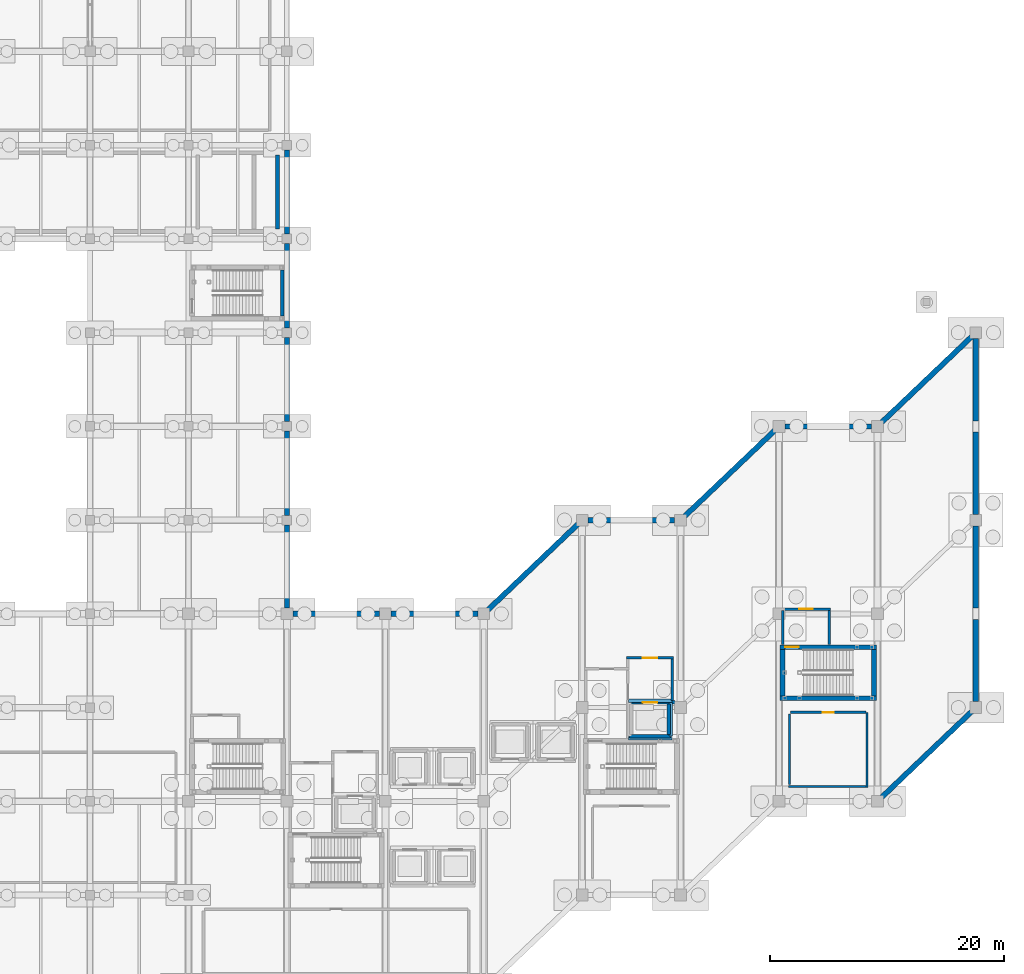
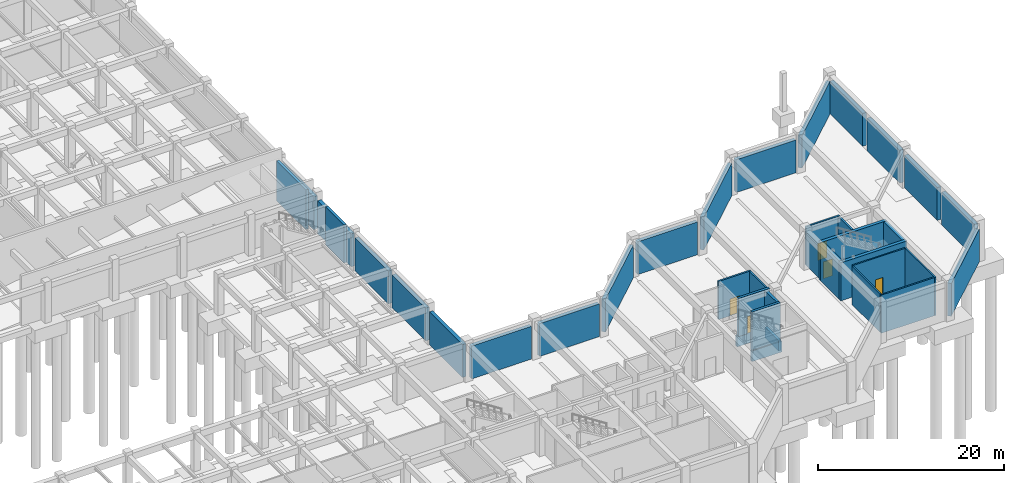
# One storey, part 43 of 56: 38 walls, 5 doors, 5 openings.
"""IFC4 building model written with IfcOpenShell, lengths in metres."""

from ifc_helpers import new_model, si_unit, direction, frame, frame_2d, origin, place, context, subcontext, project, spatial, rectangle, extrude, material, layer, layer_set, type_object, element, fill, save


model = new_model("IFC4")

# Units and contexts
model_context = context("Model", 3, precision=1e-05, world=origin(), true_north=direction((0.0, 1.0)))
body_context = subcontext(model_context, "Body", "Model", "MODEL_VIEW")
ifc_project = project(units=[si_unit("LENGTHUNIT", "METRE"), si_unit("AREAUNIT", "SQUARE_METRE"), si_unit("VOLUMEUNIT", "CUBIC_METRE"), si_unit("PLANEANGLEUNIT", "RADIAN"), si_unit("MASSUNIT", "GRAM", prefix="KILO")], contexts=[model_context])

# Site, building, storey
site_placement = place(None, origin())
site = spatial("IfcSite", under=ifc_project, at=site_placement, CompositionType="ELEMENT")
building_placement = place(site_placement, origin())
building = spatial("IfcBuilding", under=site, at=building_placement, Name="Naruveol Harbour Congress Hotel", CompositionType="ELEMENT")
storey_placement = place(building_placement, frame((0.0, 0.0, -5.39990234375)))
storey = spatial("IfcBuildingStorey", under=building, at=storey_placement, Name="B01", CompositionType="ELEMENT", Elevation=-5.39990234375)

# Wall, opening, door
ifc_material_1 = material(Name="Autoclaved Aerated Concrete Block", Category="concrete")
ifc_layer_1 = layer(ifc_material_1, 0.179931640625)
ifc_layer_set_1 = layer_set([ifc_layer_1], Name="Autoclaved Aerated Concrete Block")
wall_type_1 = type_object("IfcWallType", Name="ACOUSTIC HALL PARTITION WALL 180 EI60", PredefinedType="PARTITIONING", material=ifc_layer_set_1)
wall_1_placement = place(storey_placement, frame((168.9599609375, 23.60009765625, 0.0), z_axis=(0.0, 0.0, 1.0), x_axis=(1.0, 0.0, 0.0)))
wall_1 = element("IfcWall", 1, at=wall_1_placement, inside=storey, type_object=wall_type_1, Name="Hotel Engineering Workshop north entry wall PW-180", PredefinedType="PARTITIONING", context=body_context, shape_type="SweptSolid", body=[
    extrude(rectangle(XDim=6.47998046875, YDim=0.179931640625, at=frame_2d((3.239990234375, 0.0))), origin(), (0.0, 0.0, 1.0), 4.994873046875),
])
opening_1_placement = place(wall_1_placement, frame((2.77001953125, 0.0, 0.0)))
opening_1 = element("IfcOpeningElement", 2, at=opening_1_placement, cuts=wall_1, Name="Opening FD-ST-13", PredefinedType="OPENING", context=body_context, shape_type="SweptSolid", body=[
    extrude(rectangle(XDim=0.93994140625, YDim=2.14990234375, at=frame_2d((0.469970703125, 1.074951171875))), frame((0.0, 0.099853515625, 0.0), z_axis=(0.0, -1.0, 0.0), x_axis=(1.0, 0.0, 0.0)), (0.0, 0.0, 1.0), 0.199951171875),
])
ifc_material_2 = material(Name="Timber & Steel Acoustic Leaf", Category="steel")
door_type_1 = type_object("IfcDoorType", Name="HOUSEKEEPING AND STORE FIRE DOOR 940X2150", OperationType="NOTDEFINED", PredefinedType="DOOR", material=ifc_material_2)
door_1_placement = place(opening_1_placement, origin())
door_1 = element("IfcDoor", 3, at=door_1_placement, inside=storey, type_object=door_type_1, Name="Hotel Engineering Workshop Fire Door", OperationType="SINGLE_SWING_LEFT", OverallHeight=2.14990234375, OverallWidth=0.93994140625, PredefinedType="DOOR", context=body_context, shape_type="SweptSolid", body=[
    extrude(rectangle(XDim=0.93994140625, YDim=2.14990234375, at=frame_2d((0.469970703125, 1.074951171875))), frame((0.0, 0.02490234375, 0.0), z_axis=(0.0, -1.0, 0.0), x_axis=(1.0, 0.0, 0.0)), (0.0, 0.0, 1.0), 0.050048828125),
])
fill(opening_1, door_1)

# Walls
wall_2_placement = place(storey_placement, frame((168.8798828125, 17.449951171875, 0.0), z_axis=(0.0, 0.0, 1.0), x_axis=(0.0, 1.0, 0.0)))
element("IfcWall", 4, at=wall_2_placement, inside=storey, type_object=wall_type_1, Name="Hotel Engineering Workshop west partition PW-180", PredefinedType="PARTITIONING", context=body_context, shape_type="SweptSolid", body=[
    extrude(rectangle(XDim=6.010009765625, YDim=0.179931640625, at=frame_2d((3.0048828125, 0.0))), origin(), (0.0, 0.0, 1.0), 4.994873046875),
])
wall_3_placement = place(storey_placement, frame((175.52001953125, 17.199951171875, 0.0), z_axis=(0.0, 0.0, 1.0), x_axis=(0.0, 1.0, 0.0)))
element("IfcWall", 5, at=wall_3_placement, inside=storey, type_object=wall_type_1, Name="Hotel Engineering Workshop east enclosure partition PW-180", PredefinedType="PARTITIONING", context=body_context, shape_type="SweptSolid", body=[
    extrude(rectangle(XDim=6.3681640625, YDim=0.179931640625, at=frame_2d((3.18408203125, 0.0))), origin(), (0.0, 0.0, 1.0), 4.994873046875),
])
wall_4_placement = place(storey_placement, frame((168.800048828125, 17.280029296875, 0.0), z_axis=(0.0, 0.0, 1.0), x_axis=(1.0, 0.0, 0.0)))
element("IfcWall", 6, at=wall_4_placement, inside=storey, type_object=wall_type_1, Name="Hotel Engineering Workshop south enclosure partition PW-180", PredefinedType="PARTITIONING", context=body_context, shape_type="SweptSolid", body=[
    extrude(rectangle(XDim=6.6298828125, YDim=0.179931640625, at=frame_2d((3.31494140625, 0.0))), origin(), (0.0, 0.0, 1.0), 4.994873046875),
])
ifc_material_3 = material(Name="Concrete C40/50", Category="concrete")
ifc_layer_2 = layer(ifc_material_3, 0.219970703125)
ifc_layer_set_2 = layer_set([ifc_layer_2], Name="Concrete C40/50")
wall_type_2 = type_object("IfcWallType", Name="FIRE COMPARTMENT AND LOBBY WALL 220 EI120", PredefinedType="PARTITIONING", material=ifc_layer_set_2)
wall_5_placement = place(storey_placement, frame((158.89990234375, 24.60498046875, 0.0), z_axis=(0.0, 0.0, 1.0), x_axis=(0.0, 1.0, 0.0)))
element("IfcWall", 7, at=wall_5_placement, inside=storey, type_object=wall_type_2, Name="Firefighting lift lobby ST2 east wall FW-220", PredefinedType="PARTITIONING", context=body_context, shape_type="SweptSolid", body=[
    extrude(rectangle(XDim=3.530029296875, YDim=0.219970703125, at=frame_2d((1.76513671875, 0.0))), origin(), (0.0, 0.0, 1.0), 4.994873046875),
])

# Wall, opening, door
wall_6_placement = place(storey_placement, frame((154.989990234375, 28.25, 0.0), z_axis=(0.0, 0.0, 1.0), x_axis=(1.0, 0.0, 0.0)))
wall_6 = element("IfcWall", 8, at=wall_6_placement, inside=storey, type_object=wall_type_2, Name="Firefighting lift lobby ST2 north wall FW-220", PredefinedType="PARTITIONING", context=body_context, shape_type="SweptSolid", body=[
    extrude(rectangle(XDim=4.02001953125, YDim=0.219970703125, at=frame_2d((2.010009765625, 0.0))), origin(), (0.0, 0.0, 1.0), 4.994873046875),
])
opening_2_placement = place(wall_6_placement, frame((1.389892578125, 0.0, 0.0)))
opening_2 = element("IfcOpeningElement", 9, at=opening_2_placement, cuts=wall_6, Name="Opening FD-FFC-ST2-B01", PredefinedType="OPENING", context=body_context, shape_type="SweptSolid", body=[
    extrude(rectangle(XDim=1.239990234375, YDim=2.199951171875, at=frame_2d((0.6201171875, 1.10009765625))), frame((0.0, 0.119873046875, 0.0), z_axis=(0.0, -1.0, 0.0), x_axis=(1.0, 0.0, 0.0)), (0.0, 0.0, 1.0), 0.239990234375),
])
ifc_material_4 = material(Name="Timber & Steel Acoustic Leaf", Category="steel")
door_type_2 = type_object("IfcDoorType", Name="FIREFIGHTING LOBBY FIRE DOOR 1240X2200", OperationType="NOTDEFINED", PredefinedType="DOOR", material=ifc_material_4)
door_2_placement = place(opening_2_placement, origin())
door_2 = element("IfcDoor", 10, at=door_2_placement, inside=storey, type_object=door_type_2, Name="Firefighting Lobby Corridor Door ST2 B01", OperationType="SINGLE_SWING_LEFT", OverallHeight=2.199951171875, OverallWidth=1.239990234375, PredefinedType="DOOR", context=body_context, shape_type="SweptSolid", body=[
    extrude(rectangle(XDim=1.239990234375, YDim=2.199951171875, at=frame_2d((0.6201171875, 1.10009765625))), frame((0.0, 0.02490234375, 0.0), z_axis=(0.0, -1.0, 0.0), x_axis=(1.0, 0.0, 0.0)), (0.0, 0.0, 1.0), 0.050048828125),
])
fill(opening_2, door_2)

# Wall
wall_7_placement = place(storey_placement, frame((168.300048828125, 29.364990234375, 0.0), z_axis=(0.0, 0.0, 1.0), x_axis=(0.0, 1.0, 0.0)))
element("IfcWall", 11, at=wall_7_placement, inside=storey, type_object=wall_type_2, Name="Smoke vestibule ST4 west wall FW-220", PredefinedType="PARTITIONING", context=body_context, shape_type="SweptSolid", body=[
    extrude(rectangle(XDim=2.919921875, YDim=0.219970703125, at=frame_2d((1.4599609375, 0.0))), origin(), (0.0, 0.0, 1.0), 4.099853515625),
])

# Wall, opening, door
wall_8_placement = place(storey_placement, frame((168.18994140625, 32.39990234375, 0.0), z_axis=(0.0, 0.0, 1.0), x_axis=(1.0, 0.0, 0.0)))
wall_8 = element("IfcWall", 12, at=wall_8_placement, inside=storey, type_object=wall_type_2, Name="Smoke vestibule ST4 north wall FW-220", PredefinedType="PARTITIONING", context=body_context, shape_type="SweptSolid", body=[
    extrude(rectangle(XDim=4.219970703125, YDim=0.219970703125, at=frame_2d((2.10986328125, 0.0))), origin(), (0.0, 0.0, 1.0), 4.994873046875),
])
opening_3_placement = place(wall_8_placement, frame((1.550048828125, 0.0, 0.0)))
opening_3 = element("IfcOpeningElement", 13, at=opening_3_placement, cuts=wall_8, Name="Opening FD-ST4-V-B01", PredefinedType="OPENING", context=body_context, shape_type="SweptSolid", body=[
    extrude(rectangle(XDim=1.1201171875, YDim=2.199951171875, at=frame_2d((0.56005859375, 1.10009765625))), frame((0.0, 0.119873046875, 0.0), z_axis=(0.0, -1.0, 0.0), x_axis=(1.0, 0.0, 0.0)), (0.0, 0.0, 1.0), 0.239990234375),
])
ifc_material_5 = material(Name="Timber & Steel Acoustic Leaf", Category="steel")
door_type_3 = type_object("IfcDoorType", Name="VESTIBULE SMOKE CONTROL FIRE DOOR 1120X2200", OperationType="NOTDEFINED", PredefinedType="DOOR", material=ifc_material_5)
door_3_placement = place(opening_3_placement, origin())
door_3 = element("IfcDoor", 14, at=door_3_placement, inside=storey, type_object=door_type_3, Name="Smoke Vestibule Entry Door ST4 B01", OperationType="SINGLE_SWING_LEFT", OverallHeight=2.199951171875, OverallWidth=1.1201171875, PredefinedType="DOOR", context=body_context, shape_type="SweptSolid", body=[
    extrude(rectangle(XDim=1.1201171875, YDim=2.199951171875, at=frame_2d((0.56005859375, 1.10009765625))), frame((0.0, 0.02490234375, 0.0), z_axis=(0.0, -1.0, 0.0), x_axis=(1.0, 0.0, 0.0)), (0.0, 0.0, 1.0), 0.050048828125),
])
fill(opening_3, door_3)

# Walls
wall_9_placement = place(storey_placement, frame((172.300048828125, 29.364990234375, 0.0), z_axis=(0.0, 0.0, 1.0), x_axis=(0.0, 1.0, 0.0)))
element("IfcWall", 15, at=wall_9_placement, inside=storey, type_object=wall_type_2, Name="Smoke vestibule ST4 east wall FW-220", PredefinedType="PARTITIONING", context=body_context, shape_type="SweptSolid", body=[
    extrude(rectangle(XDim=2.919921875, YDim=0.219970703125, at=frame_2d((1.4599609375, 0.0))), origin(), (0.0, 0.0, 1.0), 4.994873046875),
])
ifc_material_6 = material(Name="Concrete C40/50", Category="concrete")
ifc_layer_3 = layer(ifc_material_6, 0.449951171875)
ifc_layer_set_3 = layer_set([ifc_layer_3], Name="Concrete C40/50")
wall_type_3 = type_object("IfcWallType", Name="RC BASEMENT RETAINING WALL 450", PredefinedType="USERDEFINED", material=ifc_layer_set_3)
for number, where, z_axis, x_axis, name in (
    (16, (126.0, 71.60009765625, 0.0), (0.0, 0.0, 1.0), (0.0, -1.0, 0.0), "Basement east retaining wall RW-450"),
    (17, (126.0, 63.60009765625, 0.0), (0.0, 0.0, 1.0), (0.0, -1.0, 0.0), "Basement east retaining wall RW-450"),
    (18, (126.0, 55.60009765625, 0.0), (0.0, 0.0, 1.0), (0.0, -1.0, 0.0), "Basement east retaining wall RW-450"),
    (19, (126.0, 47.60009765625, 0.0), (0.0, 0.0, 1.0), (0.0, -1.0, 0.0), "Basement east retaining wall RW-450"),
):
    element("IfcWall", number, at=place(storey_placement, frame(where, z_axis=z_axis, x_axis=x_axis)), inside=storey, type_object=wall_type_3, Name=name, ObjectType="RETAININGWALL", PredefinedType="USERDEFINED", context=body_context, shape_type="SweptSolid", body=[
        extrude(rectangle(XDim=7.2001953125, YDim=0.449951171875, at=frame_2d((3.60009765625, 0.0))), origin(), (0.0, 0.0, 1.0), 4.2998046875),
    ])
wall_10_placement = place(storey_placement, frame((126.0, 39.60009765625, 0.0), z_axis=(0.0, 0.0, 1.0), x_axis=(0.0, -1.0, 0.0)))
element("IfcWall", 20, at=wall_10_placement, inside=storey, type_object=wall_type_3, Name="Basement east retaining wall RW-450", ObjectType="RETAININGWALL", PredefinedType="USERDEFINED", context=body_context, shape_type="SweptSolid", body=[
    extrude(rectangle(XDim=7.10009765625, YDim=0.449951171875, at=frame_2d((3.550048828125, 0.0))), origin(), (0.0, 0.0, 1.0), 4.2998046875),
])
wall_11_placement = place(storey_placement, frame((126.5, 32.0, 0.0), z_axis=(0.0, 0.0, 1.0), x_axis=(1.0, 0.0, 0.0)))
element("IfcWall", 21, at=wall_11_placement, inside=storey, type_object=wall_type_3, Name="Hotel basement north wall RW-450", ObjectType="RETAININGWALL", PredefinedType="USERDEFINED", context=body_context, shape_type="SweptSolid", body=[
    extrude(rectangle(XDim=7.39990234375, YDim=0.449951171875, at=frame_2d((3.699951171875, 0.0))), origin(), (0.0, 0.0, 1.0), 4.2998046875),
])
wall_12_placement = place(storey_placement, frame((134.89990234375, 32.0, 0.0), z_axis=(0.0, 0.0, 1.0), x_axis=(1.0, 0.0, 0.0)))
element("IfcWall", 22, at=wall_12_placement, inside=storey, type_object=wall_type_3, Name="Hotel basement north wall RW-450", ObjectType="RETAININGWALL", PredefinedType="USERDEFINED", context=body_context, shape_type="SweptSolid", body=[
    extrude(rectangle(XDim=7.400146484375, YDim=0.449951171875, at=frame_2d((3.7001953125, 0.0))), origin(), (0.0, 0.0, 1.0), 4.2998046875),
])
wall_13_placement = place(storey_placement, frame((143.162109375, 32.344970703125, 0.0), z_axis=(0.0, 0.0, 1.0), x_axis=(0.724147790376, 0.689644819957, 0.0)))
element("IfcWall", 23, at=wall_13_placement, inside=storey, type_object=wall_type_3, Name="Hotel basement north wall RW-450", ObjectType="RETAININGWALL", PredefinedType="USERDEFINED", context=body_context, shape_type="SweptSolid", body=[
    extrude(rectangle(XDim=10.599853515625, YDim=0.449951171875, at=frame_2d((5.2998046875, 0.0))), origin(), (0.0, 0.0, 1.0), 4.2998046875),
])
wall_14_placement = place(storey_placement, frame((151.699951171875, 40.0, 0.0), z_axis=(0.0, 0.0, 1.0), x_axis=(1.0, 0.0, 0.0)))
element("IfcWall", 24, at=wall_14_placement, inside=storey, type_object=wall_type_3, Name="Hotel basement north wall RW-450", ObjectType="RETAININGWALL", PredefinedType="USERDEFINED", context=body_context, shape_type="SweptSolid", body=[
    extrude(rectangle(XDim=7.400146484375, YDim=0.449951171875, at=frame_2d((3.7001953125, 0.0))), origin(), (0.0, 0.0, 1.0), 4.2998046875),
])
wall_15_placement = place(storey_placement, frame((159.9619140625, 40.344970703125, 0.0), z_axis=(0.0, 0.0, 1.0), x_axis=(0.72415874468, 0.689633317426, 0.0)))
element("IfcWall", 25, at=wall_15_placement, inside=storey, type_object=wall_type_3, Name="Hotel basement north wall RW-450", ObjectType="RETAININGWALL", PredefinedType="USERDEFINED", context=body_context, shape_type="SweptSolid", body=[
    extrude(rectangle(XDim=10.599853515625, YDim=0.449951171875, at=frame_2d((5.2998046875, 0.0))), origin(), (0.0, 0.0, 1.0), 4.2998046875),
])
wall_16_placement = place(storey_placement, frame((168.5, 48.0, 0.0), z_axis=(0.0, 0.0, 1.0), x_axis=(1.0, 0.0, 0.0)))
element("IfcWall", 26, at=wall_16_placement, inside=storey, type_object=wall_type_3, Name="Hotel basement north wall RW-450", ObjectType="RETAININGWALL", PredefinedType="USERDEFINED", context=body_context, shape_type="SweptSolid", body=[
    extrude(rectangle(XDim=7.39990234375, YDim=0.449951171875, at=frame_2d((3.699951171875, 0.0))), origin(), (0.0, 0.0, 1.0), 4.2998046875),
])
for number, where, z_axis, x_axis, name in (
    (27, (184.43798828125, 23.655029296875, 0.0), (0.0, 0.0, 1.0), (-0.72415874468, -0.689633317426, 0.0), "Hotel basement south wall RW-450"),
    (28, (176.761962890625, 48.344970703125, 0.0), (0.0, 0.0, 1.0), (0.72415874468, 0.689633317426, 0.0), "Hotel basement north wall RW-450"),
):
    element("IfcWall", number, at=place(storey_placement, frame(where, z_axis=z_axis, x_axis=x_axis)), inside=storey, type_object=wall_type_3, Name=name, ObjectType="RETAININGWALL", PredefinedType="USERDEFINED", context=body_context, shape_type="SweptSolid", body=[
        extrude(rectangle(XDim=10.599853515625, YDim=0.449951171875, at=frame_2d((5.2998046875, 0.0))), origin(), (0.0, 0.0, 1.0), 4.2998046875),
    ])
for number, where, z_axis, x_axis, name in (
    (29, (184.800048828125, 55.5, 0.0), (0.0, 0.0, 1.0), (0.0, -1.0, 0.0), "Hotel basement east wall RW-450"),
    (30, (184.800048828125, 47.52001953125, 0.0), (0.0, 0.0, 1.0), (0.0, -1.0, 0.0), "Hotel basement east wall RW-450"),
    (31, (184.800048828125, 39.5, 0.0), (0.0, 0.0, 1.0), (0.0, -1.0, 0.0), "Hotel basement east wall RW-450"),
    (32, (184.800048828125, 31.52001953125, 0.0), (0.0, 0.0, 1.0), (0.0, -1.0, 0.0), "Hotel basement east wall RW-450"),
):
    element("IfcWall", number, at=place(storey_placement, frame(where, z_axis=z_axis, x_axis=x_axis)), inside=storey, type_object=wall_type_3, Name=name, ObjectType="RETAININGWALL", PredefinedType="USERDEFINED", context=body_context, shape_type="SweptSolid", body=[
        extrude(rectangle(XDim=7.02001953125, YDim=0.449951171875, at=frame_2d((3.510009765625, 0.0))), origin(), (0.0, 0.0, 1.0), 4.2998046875),
    ])
ifc_material_7 = material(Name="Concrete C50/60", Category="concrete")
ifc_layer_4 = layer(ifc_material_7, 0.39990234375)
ifc_layer_set_4 = layer_set([ifc_layer_4], Name="Concrete C50/60")
wall_type_4 = type_object("IfcWallType", Name="RC CORE SHEAR WALL 400 EI120", PredefinedType="SHEAR", material=ifc_layer_set_4)
wall_17_placement = place(storey_placement, frame((168.10009765625, 24.800048828125, 0.0), z_axis=(0.0, 0.0, 1.0), x_axis=(1.0, 0.0, 0.0)))
element("IfcWall", 33, at=wall_17_placement, inside=storey, type_object=wall_type_4, Name="Stair ST4 south core wall CW-400", PredefinedType="SHEAR", context=body_context, shape_type="SweptSolid", body=[
    extrude(rectangle(XDim=8.199951171875, YDim=0.39990234375, at=frame_2d((4.10009765625, 0.0))), origin(), (0.0, 0.0, 1.0), 4.994873046875),
])
wall_18_placement = place(storey_placement, frame((176.10009765625, 25.0048828125, 0.0), z_axis=(0.0, 0.0, 1.0), x_axis=(0.0, 1.0, 0.0)))
element("IfcWall", 34, at=wall_18_placement, inside=storey, type_object=wall_type_4, Name="Stair ST4 east core wall CW-400", PredefinedType="SHEAR", context=body_context, shape_type="SweptSolid", body=[
    extrude(rectangle(XDim=3.9501953125, YDim=0.39990234375, at=frame_2d((1.97509765625, 0.0))), origin(), (0.0, 0.0, 1.0), 4.994873046875),
])

# Wall, opening, door
wall_19_placement = place(storey_placement, frame((168.10009765625, 29.159912109375, 0.0), z_axis=(0.0, 0.0, 1.0), x_axis=(1.0, 0.0, 0.0)))
wall_19 = element("IfcWall", 35, at=wall_19_placement, inside=storey, type_object=wall_type_4, Name="Stair ST4 north core wall CW-400", PredefinedType="SHEAR", context=body_context, shape_type="SweptSolid", body=[
    extrude(rectangle(XDim=8.199951171875, YDim=0.39990234375, at=frame_2d((4.10009765625, 0.0))), origin(), (0.0, 0.0, 1.0), 4.994873046875),
])
opening_4_placement = place(wall_19_placement, frame((0.429931640625, 0.0, 0.0)))
opening_4 = element("IfcOpeningElement", 36, at=opening_4_placement, cuts=wall_19, Name="Opening FD-ST4-S-B01", PredefinedType="OPENING", context=body_context, shape_type="SweptSolid", body=[
    extrude(rectangle(XDim=1.159912109375, YDim=2.199951171875, at=frame_2d((0.580078125, 1.10009765625))), frame((0.0, 0.2099609375, 0.0), z_axis=(0.0, -1.0, 0.0), x_axis=(1.0, 0.0, 0.0)), (0.0, 0.0, 1.0), 0.419921875),
])
ifc_material_8 = material(Name="Timber & Steel Acoustic Leaf", Category="steel")
door_type_4 = type_object("IfcDoorType", Name="SPECIAL ESCAPE STAIR FIRE DOOR 1160X2200", OperationType="NOTDEFINED", PredefinedType="DOOR", material=ifc_material_8)
door_4_placement = place(opening_4_placement, origin())
door_4 = element("IfcDoor", 37, at=door_4_placement, inside=storey, type_object=door_type_4, Name="Special Escape Stair Door ST4 B01", OperationType="SINGLE_SWING_RIGHT", OverallHeight=2.199951171875, OverallWidth=1.159912109375, PredefinedType="DOOR", context=body_context, shape_type="SweptSolid", body=[
    extrude(rectangle(XDim=1.159912109375, YDim=2.199951171875, at=frame_2d((0.580078125, 1.10009765625))), frame((0.0, 0.02490234375, 0.0), z_axis=(0.0, -1.0, 0.0), x_axis=(1.0, 0.0, 0.0)), (0.0, 0.0, 1.0), 0.050048828125),
])
fill(opening_4, door_4)

# Walls
wall_20_placement = place(storey_placement, frame((168.300048828125, 25.0048828125, 0.0), z_axis=(0.0, 0.0, 1.0), x_axis=(0.0, 1.0, 0.0)))
element("IfcWall", 38, at=wall_20_placement, inside=storey, type_object=wall_type_4, Name="Stair ST4 west core wall CW-400", PredefinedType="SHEAR", context=body_context, shape_type="SweptSolid", body=[
    extrude(rectangle(XDim=3.9501953125, YDim=0.39990234375, at=frame_2d((1.97509765625, 0.0))), origin(), (0.0, 0.0, 1.0), 4.994873046875),
])
ifc_material_9 = material(Name="Concrete C40/50", Category="concrete")
ifc_layer_5 = layer(ifc_material_9, 0.300048828125)
ifc_layer_set_5 = layer_set([ifc_layer_5], Name="Concrete C40/50")
wall_type_5 = type_object("IfcWallType", Name="RC LIFT PIT RETAINING WALL 300", PredefinedType="USERDEFINED", material=ifc_layer_set_5)
wall_21_placement = place(storey_placement, frame((155.14990234375, 21.39990234375, -1.400146484375), z_axis=(0.0, 0.0, 1.0), x_axis=(1.0, 0.0, 0.0)))
element("IfcWall", 39, at=wall_21_placement, inside=storey, type_object=wall_type_5, Name="Lift pit wall FL2 #1", ObjectType="RETAININGWALL", PredefinedType="USERDEFINED", context=body_context, shape_type="SweptSolid", body=[
    extrude(rectangle(XDim=3.7001953125, YDim=0.300048828125, at=frame_2d((1.85009765625, 0.0))), origin(), (0.0, 0.0, 1.0), 1.400146484375),
])
wall_22_placement = place(storey_placement, frame((158.75, 21.56005859375, -1.400146484375), z_axis=(0.0, 0.0, 1.0), x_axis=(0.0, 1.0, 0.0)))
element("IfcWall", 40, at=wall_22_placement, inside=storey, type_object=wall_type_5, Name="Lift pit wall FL2 #2", ObjectType="RETAININGWALL", PredefinedType="USERDEFINED", context=body_context, shape_type="SweptSolid", body=[
    extrude(rectangle(XDim=2.8798828125, YDim=0.300048828125, at=frame_2d((1.43994140625, 0.0))), origin(), (0.0, 0.0, 1.0), 1.400146484375),
])
wall_23_placement = place(storey_placement, frame((158.85009765625, 24.60009765625, -1.400146484375), z_axis=(0.0, 0.0, 1.0), x_axis=(-1.0, 0.0, 0.0)))
element("IfcWall", 41, at=wall_23_placement, inside=storey, type_object=wall_type_5, Name="Lift pit wall FL2 #3", ObjectType="RETAININGWALL", PredefinedType="USERDEFINED", context=body_context, shape_type="SweptSolid", body=[
    extrude(rectangle(XDim=3.7001953125, YDim=0.300048828125, at=frame_2d((1.85009765625, 0.0))), origin(), (0.0, 0.0, 1.0), 1.400146484375),
])
ifc_material_10 = material(Name="Concrete C40/50", Category="concrete")
ifc_layer_6 = layer(ifc_material_10, 0.320068359375)
ifc_layer_set_6 = layer_set([ifc_layer_6], Name="Concrete C40/50")
wall_type_6 = type_object("IfcWallType", Name="RC RAMP SUPPORT WALL 320", PredefinedType="SHEAR", material=ifc_layer_set_6)
wall_24_placement = place(storey_placement, frame((125.199951171875, 64.85009765625, 0.0), z_axis=(0.0, 0.0, 1.0), x_axis=(0.0, 1.0, 0.0)))
element("IfcWall", 42, at=wall_24_placement, inside=storey, type_object=wall_type_6, Name="Vehicle ramp bearing wall #4", PredefinedType="SHEAR", context=body_context, shape_type="SweptSolid", body=[
    extrude(rectangle(XDim=6.2998046875, YDim=0.320068359375, at=frame_2d((3.14990234375, 0.0))), origin(), (0.0, 0.0, 1.0), 5.199951171875),
])
ifc_material_11 = material(Name="Concrete C50/60", Category="concrete")
ifc_layer_7 = layer(ifc_material_11, 0.300048828125)
ifc_layer_set_7 = layer_set([ifc_layer_7], Name="Concrete C50/60")
wall_type_7 = type_object("IfcWallType", Name="RC STAIR AND HOISTWAY SHEAR WALL 300 EI120", PredefinedType="SHEAR", material=ifc_layer_set_7)
wall_25_placement = place(storey_placement, frame((155.25, 21.550048828125, 0.0), z_axis=(0.0, 0.0, 1.0), x_axis=(1.0, 0.0, 0.0)))
element("IfcWall", 43, at=wall_25_placement, inside=storey, type_object=wall_type_7, Name="Hoistway south shear wall FL2 SW-300", PredefinedType="SHEAR", context=body_context, shape_type="SweptSolid", body=[
    extrude(rectangle(XDim=3.5, YDim=0.300048828125, at=frame_2d((1.75, 0.0))), origin(), (0.0, 0.0, 1.0), 4.994873046875),
])
wall_26_placement = place(storey_placement, frame((158.60009765625, 21.705078125, 0.0), z_axis=(0.0, 0.0, 1.0), x_axis=(0.0, 1.0, 0.0)))
element("IfcWall", 44, at=wall_26_placement, inside=storey, type_object=wall_type_7, Name="Hoistway east shear wall FL2 SW-300", PredefinedType="SHEAR", context=body_context, shape_type="SweptSolid", body=[
    extrude(rectangle(XDim=2.58984375, YDim=0.300048828125, at=frame_2d((1.294921875, 0.0))), origin(), (0.0, 0.0, 1.0), 4.994873046875),
])

# Wall, opening, door
wall_27_placement = place(storey_placement, frame((159.110107421875, 24.449951171875, 0.0), z_axis=(0.0, 0.0, 1.0), x_axis=(-1.0, 0.0, 0.0)))
wall_27 = element("IfcWall", 45, at=wall_27_placement, inside=storey, type_object=wall_type_7, Name="Hoistway north shear wall FL2 SW-300", PredefinedType="SHEAR", context=body_context, shape_type="SweptSolid", body=[
    extrude(rectangle(XDim=3.860107421875, YDim=0.300048828125, at=frame_2d((1.93017578125, 0.0))), origin(), (0.0, 0.0, 1.0), 4.994873046875),
])
opening_5_placement = place(wall_27_placement, frame((1.485107421875, 0.0, 0.0)))
opening_5 = element("IfcOpeningElement", 46, at=opening_5_placement, cuts=wall_27, Name="Opening LD-FL2-B01", PredefinedType="OPENING", context=body_context, shape_type="SweptSolid", body=[
    extrude(rectangle(XDim=1.25, YDim=2.25, at=frame_2d((0.625, 1.125))), frame((0.0, 0.159912109375, 0.0), z_axis=(0.0, -1.0, 0.0), x_axis=(1.0, 0.0, 0.0)), (0.0, 0.0, 1.0), 0.320068359375),
])
ifc_material_12 = material(Name="Stainless Steel Lift Door", Category="steel")
door_type_5 = type_object("IfcDoorType", Name="FIREFIGHTING LIFT LANDING DOOR 1250X2250", OperationType="DOUBLE_DOOR_SLIDING", PredefinedType="DOOR", material=ifc_material_12)
door_5_placement = place(opening_5_placement, origin())
door_5 = element("IfcDoor", 47, at=door_5_placement, inside=storey, type_object=door_type_5, Name="Elevator Landing Door FL2 B01", OperationType="DOUBLE_DOOR_SLIDING", OverallHeight=2.25, OverallWidth=1.25, PredefinedType="DOOR", context=body_context, shape_type="SweptSolid", body=[
    extrude(rectangle(XDim=1.25, YDim=2.25, at=frame_2d((0.625, 1.125))), frame((0.0, 0.02490234375, 0.0), z_axis=(0.0, -1.0, 0.0), x_axis=(1.0, 0.0, 0.0)), (0.0, 0.0, 1.0), 0.050048828125),
])
fill(opening_5, door_5)

# Wall
wall_28_placement = place(storey_placement, frame((125.610107421875, 57.405029296875, 0.0), z_axis=(0.0, 0.0, 1.0), x_axis=(0.0, 1.0, 0.0)))
element("IfcWall", 48, at=wall_28_placement, inside=storey, type_object=wall_type_7, Name="Stair ST9 east core wall SW-300", PredefinedType="SHEAR", context=body_context, shape_type="SweptSolid", body=[
    extrude(rectangle(XDim=3.949951171875, YDim=0.300048828125, at=frame_2d((1.97509765625, 0.0))), origin(), (0.0, 0.0, 1.0), 4.994873046875),
])

save(model, "model.ifc")
